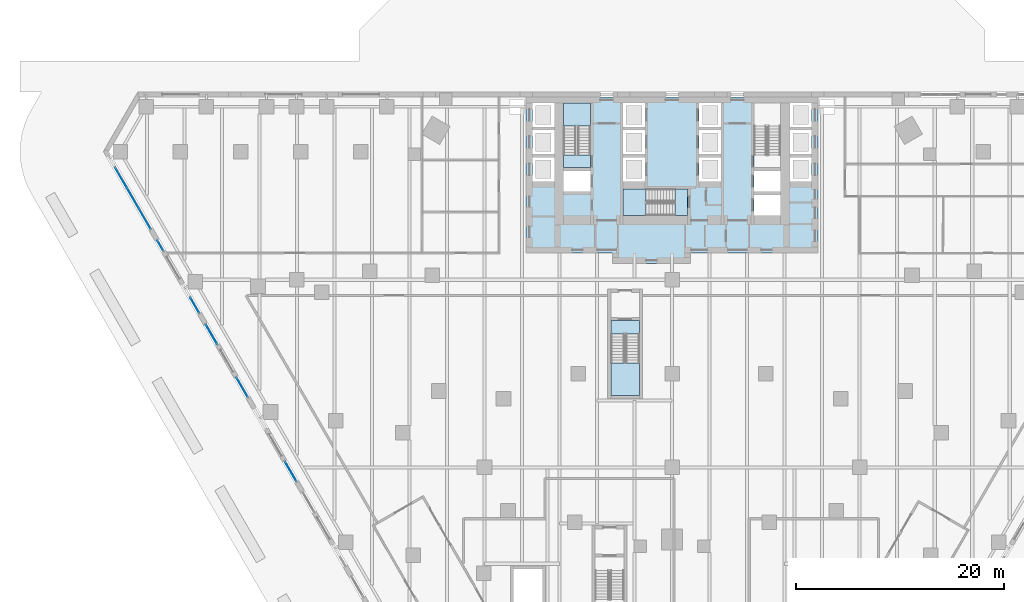
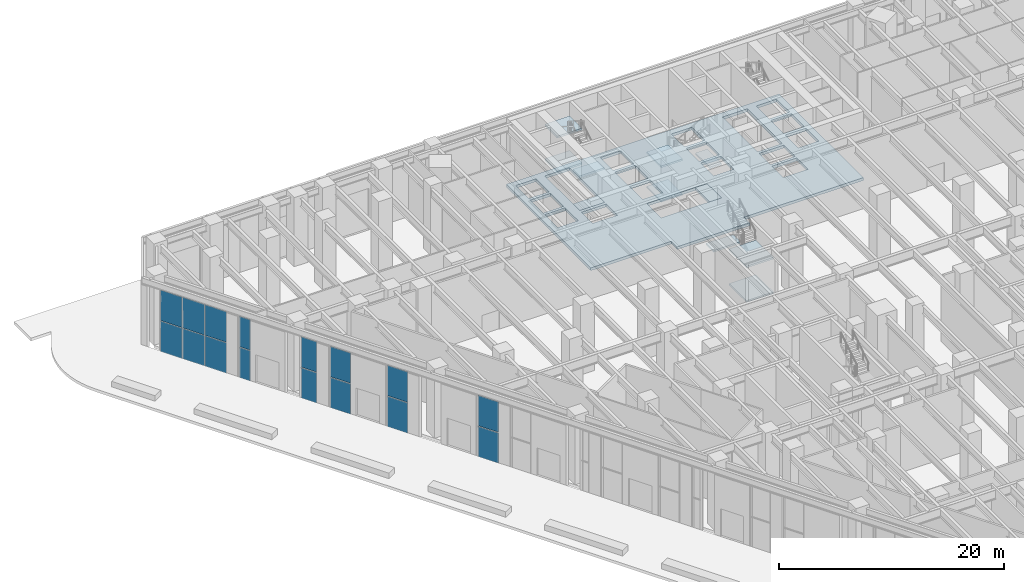
# One storey, part 23 of 37: 16 plates, 12 slabs, 9 elements without a shape of their own.
"""IFC4 building model written with IfcOpenShell, lengths in metres."""

from ifc_helpers import new_model, si_unit, direction, frame, origin, origin_2d, place, context, subcontext, project, spatial, polyline, rectangle, outline, extrude, material, layer, layer_set, type_object, element, aggregate, save


model = new_model("IFC4")

# Units and contexts
model_context = context("Model", 3, precision=1e-05, world=origin(), true_north=direction((0.0, 1.0)))
body_context = subcontext(model_context, "Body", "Model", "MODEL_VIEW")
ifc_project = project(units=[si_unit("LENGTHUNIT", "METRE"), si_unit("AREAUNIT", "SQUARE_METRE"), si_unit("VOLUMEUNIT", "CUBIC_METRE"), si_unit("PLANEANGLEUNIT", "RADIAN"), si_unit("MASSUNIT", "GRAM", prefix="KILO")], contexts=[model_context])

# Site, building, storey
site_placement = place(None, origin())
site = spatial("IfcSite", under=ifc_project, at=site_placement, CompositionType="ELEMENT")
building_placement = place(site_placement, origin())
building = spatial("IfcBuilding", under=site, at=building_placement, Name="Aloe Facet Convention Tower", CompositionType="ELEMENT")
storey_placement = place(building_placement, origin())
storey = spatial("IfcBuildingStorey", under=building, at=storey_placement, Name="L00", CompositionType="ELEMENT", Elevation=0.0)

# Slabs
ifc_material_1 = material(Name="Concrete C80/95", Category="concrete")
ifc_layer_1 = layer(ifc_material_1, 0.300048828125)
ifc_layer_set_1 = layer_set([ifc_layer_1], Name="CR-S-FLOOR300-C8095")
slab_type_1 = type_object("IfcSlabType", Name="CR-S-FLOOR300-C8095", PredefinedType="FLOOR", material=ifc_layer_set_1)
slab_1_placement = place(storey_placement, frame((0.0, 0.0, -0.300048828125)))
element("IfcSlab", 1, at=slab_1_placement, inside=storey, type_object=slab_type_1, Name="Stair landing floor L00", PredefinedType="FLOOR", context=body_context, shape_type="SweptSolid", body=[
    extrude(outline(polyline([(72.14990234375, 127.75), (72.14990234375, 128.951171875), (69.60009765625, 128.951171875), (69.60009765625, 127.75), (72.14990234375, 127.75)])), origin(), (0.0, 0.0, 1.0), 0.300048828125),
])
slab_2_placement = place(storey_placement, frame((0.0, 0.0, -0.300048828125)))
element("IfcSlab", 2, at=slab_2_placement, inside=storey, type_object=slab_type_1, Name="Stair landing floor L00", PredefinedType="FLOOR", context=body_context, shape_type="SweptSolid", body=[
    extrude(outline(polyline([(81.5, 125.699951171875), (80.298828125, 125.699951171875), (80.298828125, 123.14990234375), (81.5, 123.14990234375), (81.5, 125.699951171875)])), origin(), (0.0, 0.0, 1.0), 0.300048828125),
])
slab_3_placement = place(storey_placement, frame((0.0, 0.0, -0.300048828125)))
element("IfcSlab", 3, at=slab_3_placement, inside=storey, type_object=slab_type_1, Name="Core floor L00", PredefinedType="FLOOR", context=body_context, shape_type="SweptSolid", body=[
    extrude(outline(polyline([(69.300048828125, 134.550048828125), (71.85009765625, 134.550048828125), (72.75, 134.550048828125), (74.699951171875, 134.550048828125), (75.60009765625, 134.550048828125), (77.10009765625, 134.550048828125), (78.0, 134.550048828125), (82.0, 134.550048828125), (82.89990234375, 134.550048828125), (84.39990234375, 134.550048828125), (85.300048828125, 134.550048828125), (87.25, 134.550048828125), (88.14990234375, 134.550048828125), (90.699951171875, 134.550048828125), (91.0, 134.550048828125), (94.0, 134.550048828125), (94.0, 131.949951171875), (94.0, 131.050048828125), (94.0, 129.35009765625), (94.0, 128.449951171875), (94.0, 126.449951171875), (94.0, 125.85009765625), (94.0, 124.949951171875), (94.0, 123.89990234375), (94.0, 122.871337890625), (94.0, 121.821533203125), (94.0, 119.550048828125), (91.300048828125, 119.550048828125), (90.699951171875, 119.550048828125), (87.89990234375, 119.550048828125), (86.85009765625, 119.550048828125), (85.699951171875, 119.550048828125), (84.64990234375, 119.550048828125), (83.699951171875, 119.550048828125), (82.64990234375, 119.550048828125), (81.75, 119.550048828125), (81.75, 118.550048828125), (74.300048828125, 118.550048828125), (74.300048828125, 119.550048828125), (73.14990234375, 119.550048828125), (72.10009765625, 119.550048828125), (69.300048828125, 119.550048828125), (68.699951171875, 119.550048828125), (66.0, 119.550048828125), (66.0, 122.523681640625), (66.0, 123.57373046875), (66.0, 125.85009765625), (66.0, 126.449951171875), (66.0, 128.449951171875), (66.0, 129.35009765625), (66.0, 131.050048828125), (66.0, 131.949951171875), (66.0, 134.550048828125), (69.0, 134.550048828125), (69.300048828125, 134.550048828125)]), holes=[polyline([(75.300048828125, 123.14990234375), (80.298828125, 123.14990234375), (81.5, 123.14990234375), (81.5, 125.699951171875), (80.298828125, 125.699951171875), (75.300048828125, 125.699951171875), (75.300048828125, 123.14990234375)]), polyline([(69.60009765625, 125.449951171875), (72.14990234375, 125.449951171875), (72.14990234375, 127.449951171875), (69.60009765625, 127.449951171875), (69.60009765625, 125.449951171875)]), polyline([(66.60009765625, 126.449951171875), (68.699951171875, 126.449951171875), (68.699951171875, 128.75), (66.60009765625, 128.75), (66.60009765625, 126.449951171875)]), polyline([(75.300048828125, 126.449951171875), (77.39990234375, 126.449951171875), (77.39990234375, 128.75), (75.300048828125, 128.75), (75.300048828125, 126.449951171875)]), polyline([(66.60009765625, 129.050048828125), (68.699951171875, 129.050048828125), (68.699951171875, 131.35009765625), (66.60009765625, 131.35009765625), (66.60009765625, 129.050048828125)]), polyline([(75.300048828125, 129.050048828125), (77.39990234375, 129.050048828125), (77.39990234375, 131.35009765625), (75.300048828125, 131.35009765625), (75.300048828125, 129.050048828125)]), polyline([(69.60009765625, 133.949951171875), (69.60009765625, 128.951171875), (69.60009765625, 127.75), (72.14990234375, 127.75), (72.14990234375, 128.951171875), (72.14990234375, 133.949951171875), (69.60009765625, 133.949951171875)]), polyline([(66.60009765625, 133.949951171875), (66.60009765625, 131.64990234375), (68.699951171875, 131.64990234375), (68.699951171875, 133.949951171875), (66.60009765625, 133.949951171875)]), polyline([(75.300048828125, 133.949951171875), (75.300048828125, 131.64990234375), (77.39990234375, 131.64990234375), (77.39990234375, 133.949951171875), (75.300048828125, 133.949951171875)]), polyline([(87.85009765625, 123.14990234375), (90.39990234375, 123.14990234375), (90.39990234375, 125.14990234375), (87.85009765625, 125.14990234375), (87.85009765625, 123.14990234375)]), polyline([(87.85009765625, 125.449951171875), (90.39990234375, 125.449951171875), (90.39990234375, 127.449951171875), (87.85009765625, 127.449951171875), (87.85009765625, 125.449951171875)]), polyline([(82.60009765625, 126.449951171875), (84.699951171875, 126.449951171875), (84.699951171875, 128.75), (82.60009765625, 128.75), (82.60009765625, 126.449951171875)]), polyline([(91.300048828125, 126.449951171875), (93.39990234375, 126.449951171875), (93.39990234375, 128.75), (91.300048828125, 128.75), (91.300048828125, 126.449951171875)]), polyline([(82.60009765625, 129.050048828125), (84.699951171875, 129.050048828125), (84.699951171875, 131.35009765625), (82.60009765625, 131.35009765625), (82.60009765625, 129.050048828125)]), polyline([(91.300048828125, 129.050048828125), (93.39990234375, 129.050048828125), (93.39990234375, 131.35009765625), (91.300048828125, 131.35009765625), (91.300048828125, 129.050048828125)]), polyline([(87.85009765625, 133.949951171875), (87.85009765625, 128.951171875), (87.85009765625, 127.75), (90.39990234375, 127.75), (90.39990234375, 128.951171875), (90.39990234375, 133.949951171875), (87.85009765625, 133.949951171875)]), polyline([(82.60009765625, 133.949951171875), (82.60009765625, 131.64990234375), (84.699951171875, 131.64990234375), (84.699951171875, 133.949951171875), (82.60009765625, 133.949951171875)]), polyline([(91.300048828125, 133.949951171875), (91.300048828125, 131.64990234375), (93.39990234375, 131.64990234375), (93.39990234375, 133.949951171875), (91.300048828125, 133.949951171875)])]), origin(), (0.0, 0.0, 1.0), 0.300048828125),
])

# Stair, slabs
ifc_material_2 = material(Name="Concrete C50/60", Category="concrete")
stair_type_1 = type_object("IfcStairType", Name="CR-ST-44R", PredefinedType="HALF_TURN_STAIR", material=ifc_material_2)
stair_1_placement = place(storey_placement, origin())
stair_1 = element("IfcStair", 4, at=stair_1_placement, inside=storey, type_object=stair_type_1, Name="L00 Protected exit stair ST1", PredefinedType="HALF_TURN_STAIR")
ifc_material_3 = material(Name="Concrete C50/60", Category="concrete")
ifc_layer_2 = layer(ifc_material_3, 0.199951171875)
ifc_layer_set_2 = layer_set([ifc_layer_2], Name="CR-SL-LANDING")
slab_type_2 = type_object("IfcSlabType", Name="CR-SL-LANDING", PredefinedType="LANDING", material=ifc_layer_set_2)
slab_4_placement = place(storey_placement, frame((0.0, 0.0, 1.675048828125)))
slab_4 = element("IfcSlab", 5, at=slab_4_placement, type_object=slab_type_2, Name="ST1 landing 1", PredefinedType="LANDING", context=body_context, shape_type="SweptSolid", body=[
    extrude(outline(polyline([(72.14990234375, 131.75), (72.14990234375, 133.949951171875), (69.60009765625, 133.949951171875), (69.60009765625, 131.75), (72.14990234375, 131.75)])), origin(), (0.0, 0.0, 1.0), 0.199951171875),
])
slab_5_placement = place(storey_placement, frame((0.0, 0.0, 3.550048828125)))
slab_5 = element("IfcSlab", 6, at=slab_5_placement, type_object=slab_type_2, Name="ST1 landing 2", PredefinedType="LANDING", context=body_context, shape_type="SweptSolid", body=[
    extrude(outline(polyline([(72.14990234375, 127.75), (72.14990234375, 128.949951171875), (69.60009765625, 128.949951171875), (69.60009765625, 127.75), (72.14990234375, 127.75)])), origin(), (0.0, 0.0, 1.0), 0.199951171875),
])
slab_6_placement = place(storey_placement, frame((0.0, 0.0, 5.425048828125)))
slab_6 = element("IfcSlab", 7, at=slab_6_placement, type_object=slab_type_2, Name="ST1 landing 3", PredefinedType="LANDING", context=body_context, shape_type="SweptSolid", body=[
    extrude(outline(polyline([(72.14990234375, 131.75), (72.14990234375, 133.949951171875), (69.60009765625, 133.949951171875), (69.60009765625, 131.75), (72.14990234375, 131.75)])), origin(), (0.0, 0.0, 1.0), 0.199951171875),
])
aggregate(stair_1, [slab_4, slab_5, slab_6])

stair_2_placement = place(storey_placement, origin())
stair_2 = element("IfcStair", 8, at=stair_2_placement, inside=storey, type_object=stair_type_1, Name="L00 Protected exit stair ST3", PredefinedType="HALF_TURN_STAIR")
slab_7_placement = place(storey_placement, frame((0.0, 0.0, 1.675048828125)))
slab_7 = element("IfcSlab", 9, at=slab_7_placement, type_object=slab_type_2, Name="ST3 landing 1", PredefinedType="LANDING", context=body_context, shape_type="SweptSolid", body=[
    extrude(outline(polyline([(77.5, 125.699951171875), (75.300048828125, 125.699951171875), (75.300048828125, 123.14990234375), (77.5, 123.14990234375), (77.5, 125.699951171875)])), origin(), (0.0, 0.0, 1.0), 0.199951171875),
])
slab_8_placement = place(storey_placement, frame((0.0, 0.0, 3.550048828125)))
slab_8 = element("IfcSlab", 10, at=slab_8_placement, type_object=slab_type_2, Name="ST3 landing 2", PredefinedType="LANDING", context=body_context, shape_type="SweptSolid", body=[
    extrude(outline(polyline([(81.5, 125.699951171875), (80.300048828125, 125.699951171875), (80.300048828125, 123.14990234375), (81.5, 123.14990234375), (81.5, 125.699951171875)])), origin(), (0.0, 0.0, 1.0), 0.199951171875),
])
slab_9_placement = place(storey_placement, frame((0.0, 0.0, 5.425048828125)))
slab_9 = element("IfcSlab", 11, at=slab_9_placement, type_object=slab_type_2, Name="ST3 landing 3", PredefinedType="LANDING", context=body_context, shape_type="SweptSolid", body=[
    extrude(outline(polyline([(77.5, 125.699951171875), (75.300048828125, 125.699951171875), (75.300048828125, 123.14990234375), (77.5, 123.14990234375), (77.5, 125.699951171875)])), origin(), (0.0, 0.0, 1.0), 0.199951171875),
])
aggregate(stair_2, [slab_7, slab_8, slab_9])

ifc_material_4 = material(Name="Concrete C50/60", Category="concrete")
stair_type_2 = type_object("IfcStairType", Name="CR-ST-44R-W1300", PredefinedType="HALF_TURN_STAIR", material=ifc_material_4)
stair_3_placement = place(storey_placement, origin())
stair_3 = element("IfcStair", 12, at=stair_3_placement, inside=storey, type_object=stair_type_2, Name="L00 Protected exit stair ST5", PredefinedType="HALF_TURN_STAIR")
slab_10_placement = place(storey_placement, frame((0.0, 0.0, 1.675048828125)))
slab_10 = element("IfcSlab", 13, at=slab_10_placement, type_object=slab_type_2, Name="ST5 landing 1", PredefinedType="LANDING", context=body_context, shape_type="SweptSolid", body=[
    extrude(outline(polyline([(74.125, 109.0), (74.125, 105.89990234375), (76.875, 105.89990234375), (76.875, 109.0), (74.125, 109.0)])), origin(), (0.0, 0.0, 1.0), 0.199951171875),
])
slab_11_placement = place(storey_placement, frame((0.0, 0.0, 3.550048828125)))
slab_11 = element("IfcSlab", 14, at=slab_11_placement, type_object=slab_type_2, Name="ST5 landing 2", PredefinedType="LANDING", context=body_context, shape_type="SweptSolid", body=[
    extrude(outline(polyline([(74.125, 113.10009765625), (74.125, 111.800048828125), (76.875, 111.800048828125), (76.875, 113.10009765625), (74.125, 113.10009765625)])), origin(), (0.0, 0.0, 1.0), 0.199951171875),
])
slab_12_placement = place(storey_placement, frame((0.0, 0.0, 5.425048828125)))
slab_12 = element("IfcSlab", 15, at=slab_12_placement, type_object=slab_type_2, Name="ST5 landing 3", PredefinedType="LANDING", context=body_context, shape_type="SweptSolid", body=[
    extrude(outline(polyline([(74.125, 109.0), (74.125, 105.89990234375), (76.875, 105.89990234375), (76.875, 109.0), (74.125, 109.0)])), origin(), (0.0, 0.0, 1.0), 0.199951171875),
])
aggregate(stair_3, [slab_10, slab_11, slab_12])

# Curtain wall, plates
ifc_material_5 = material(Name="Aluminium, anodised", Category="aluminium")
curtain_wall_type_1 = type_object("IfcCurtainWallType", Name="EV-CW-PORTAL", PredefinedType="USERDEFINED", material=ifc_material_5)
curtain_wall_1_placement = place(storey_placement, origin())
curtain_wall_1 = element("IfcCurtainWall", 16, at=curtain_wall_1_placement, inside=storey, type_object=curtain_wall_type_1, Name="CW-L00-W04A", ObjectType="ENTRANCE PORTAL GLAZING", PredefinedType="USERDEFINED")
ifc_material_6 = material(Name="Clear double glazing", Category="glass")
ifc_layer_3 = layer(ifc_material_6, 0.035888671875)
ifc_layer_set_3 = layer_set([ifc_layer_3], Name="EV-PANEL-PORTAL")
plate_type_1 = type_object("IfcPlateType", Name="EV-PANEL-PORTAL", PredefinedType="CURTAIN_PANEL", material=ifc_layer_set_3)
plate_1_placement = place(storey_placement, frame((30.903076171875, 120.2587890625, -0.219970703125), z_axis=(0.0, 0.0, 1.0), x_axis=(0.500000000166, -0.866025403688, 0.0)))
plate_1 = element("IfcPlate", 17, at=plate_1_placement, type_object=plate_type_1, Name="CW-L00-W04A panel 1.1", PredefinedType="CURTAIN_PANEL", context=body_context, shape_type="SweptSolid", body=[
    extrude(rectangle(XDim=1.1005859375, YDim=0.035888671875, at=origin_2d()), origin(), (0.0, 0.0, 1.0), 3.2861328125),
])
plate_2_placement = place(storey_placement, frame((30.903076171875, 120.2587890625, 3.146240234375), z_axis=(0.0, 0.0, 1.0), x_axis=(0.500000000166, -0.866025403688, 0.0)))
plate_2 = element("IfcPlate", 18, at=plate_2_placement, type_object=plate_type_1, Name="CW-L00-W04A panel 1.2", PredefinedType="CURTAIN_PANEL", context=body_context, shape_type="SweptSolid", body=[
    extrude(rectangle(XDim=1.1005859375, YDim=0.035888671875, at=origin_2d()), origin(), (0.0, 0.0, 1.0), 3.2861328125),
])
aggregate(curtain_wall_1, [plate_1, plate_2])

curtain_wall_2_placement = place(storey_placement, origin())
curtain_wall_2 = element("IfcCurtainWall", 19, at=curtain_wall_2_placement, inside=storey, type_object=curtain_wall_type_1, Name="CW-L00-W04B", ObjectType="ENTRANCE PORTAL GLAZING", PredefinedType="USERDEFINED")
plate_3_placement = place(storey_placement, frame((34.200439453125, 114.547607421875, -0.219970703125), z_axis=(0.0, 0.0, 1.0), x_axis=(0.499999999955, -0.866025403811, 0.0)))
plate_3 = element("IfcPlate", 20, at=plate_3_placement, type_object=plate_type_1, Name="CW-L00-W04B panel 1.1", PredefinedType="CURTAIN_PANEL", context=body_context, shape_type="SweptSolid", body=[
    extrude(rectangle(XDim=1.6328125, YDim=0.035888671875, at=origin_2d()), origin(), (0.0, 0.0, 1.0), 3.2861328125),
])
plate_4_placement = place(storey_placement, frame((34.200439453125, 114.547607421875, 3.146240234375), z_axis=(0.0, 0.0, 1.0), x_axis=(0.499999999955, -0.866025403811, 0.0)))
plate_4 = element("IfcPlate", 21, at=plate_4_placement, type_object=plate_type_1, Name="CW-L00-W04B panel 1.2", PredefinedType="CURTAIN_PANEL", context=body_context, shape_type="SweptSolid", body=[
    extrude(rectangle(XDim=1.6328125, YDim=0.035888671875, at=origin_2d()), origin(), (0.0, 0.0, 1.0), 3.2861328125),
])
aggregate(curtain_wall_2, [plate_3, plate_4])

curtain_wall_3_placement = place(storey_placement, origin())
curtain_wall_3 = element("IfcCurtainWall", 22, at=curtain_wall_3_placement, inside=storey, type_object=curtain_wall_type_1, Name="CW-L00-W06A", ObjectType="ENTRANCE PORTAL GLAZING", PredefinedType="USERDEFINED")
plate_5_placement = place(storey_placement, frame((35.81396484375, 111.753173828125, -0.219970703125), z_axis=(0.0, 0.0, 1.0), x_axis=(0.50000000006, -0.86602540375, 0.0)))
plate_5 = element("IfcPlate", 23, at=plate_5_placement, type_object=plate_type_1, Name="CW-L00-W06A panel 1.1", PredefinedType="CURTAIN_PANEL", context=body_context, shape_type="SweptSolid", body=[
    extrude(rectangle(XDim=2.1005859375, YDim=0.035888671875, at=origin_2d()), origin(), (0.0, 0.0, 1.0), 3.2861328125),
])
plate_6_placement = place(storey_placement, frame((35.81396484375, 111.753173828125, 3.146240234375), z_axis=(0.0, 0.0, 1.0), x_axis=(0.50000000006, -0.86602540375, 0.0)))
plate_6 = element("IfcPlate", 24, at=plate_6_placement, type_object=plate_type_1, Name="CW-L00-W06A panel 1.2", PredefinedType="CURTAIN_PANEL", context=body_context, shape_type="SweptSolid", body=[
    extrude(rectangle(XDim=2.1005859375, YDim=0.035888671875, at=origin_2d()), origin(), (0.0, 0.0, 1.0), 3.2861328125),
])
aggregate(curtain_wall_3, [plate_5, plate_6])

curtain_wall_4_placement = place(storey_placement, origin())
curtain_wall_4 = element("IfcCurtainWall", 25, at=curtain_wall_4_placement, inside=storey, type_object=curtain_wall_type_1, Name="CW-L00-W06B", ObjectType="ENTRANCE PORTAL GLAZING", PredefinedType="USERDEFINED")
plate_7_placement = place(storey_placement, frame((38.744140625, 106.677734375, -0.219970703125), z_axis=(0.0, 0.0, 1.0), x_axis=(0.50000000006, -0.86602540375, 0.0)))
plate_7 = element("IfcPlate", 26, at=plate_7_placement, type_object=plate_type_1, Name="CW-L00-W06B panel 1.1", PredefinedType="CURTAIN_PANEL", context=body_context, shape_type="SweptSolid", body=[
    extrude(rectangle(XDim=2.1005859375, YDim=0.035888671875, at=origin_2d()), origin(), (0.0, 0.0, 1.0), 3.2861328125),
])
plate_8_placement = place(storey_placement, frame((38.744140625, 106.677734375, 3.146240234375), z_axis=(0.0, 0.0, 1.0), x_axis=(0.50000000006, -0.86602540375, 0.0)))
plate_8 = element("IfcPlate", 27, at=plate_8_placement, type_object=plate_type_1, Name="CW-L00-W06B panel 1.2", PredefinedType="CURTAIN_PANEL", context=body_context, shape_type="SweptSolid", body=[
    extrude(rectangle(XDim=2.1005859375, YDim=0.035888671875, at=origin_2d()), origin(), (0.0, 0.0, 1.0), 3.2861328125),
])
aggregate(curtain_wall_4, [plate_7, plate_8])

curtain_wall_5_placement = place(storey_placement, origin())
curtain_wall_5 = element("IfcCurtainWall", 28, at=curtain_wall_5_placement, inside=storey, type_object=curtain_wall_type_1, Name="CW-L00-W08B", ObjectType="ENTRANCE PORTAL GLAZING", PredefinedType="USERDEFINED")
plate_9_placement = place(storey_placement, frame((43.40478515625, 98.60498046875, -0.219970703125), z_axis=(0.0, 0.0, 1.0), x_axis=(0.499999999728, -0.866025403942, 0.0)))
plate_9 = element("IfcPlate", 29, at=plate_9_placement, type_object=plate_type_1, Name="CW-L00-W08B panel 1.1", PredefinedType="CURTAIN_PANEL", context=body_context, shape_type="SweptSolid", body=[
    extrude(rectangle(XDim=2.1005859375, YDim=0.035888671875, at=origin_2d()), origin(), (0.0, 0.0, 1.0), 3.2861328125),
])
plate_10_placement = place(storey_placement, frame((43.40478515625, 98.60498046875, 3.146240234375), z_axis=(0.0, 0.0, 1.0), x_axis=(0.499999999728, -0.866025403942, 0.0)))
plate_10 = element("IfcPlate", 30, at=plate_10_placement, type_object=plate_type_1, Name="CW-L00-W08B panel 1.2", PredefinedType="CURTAIN_PANEL", context=body_context, shape_type="SweptSolid", body=[
    extrude(rectangle(XDim=2.1005859375, YDim=0.035888671875, at=origin_2d()), origin(), (0.0, 0.0, 1.0), 3.2861328125),
])
aggregate(curtain_wall_5, [plate_9, plate_10])

ifc_material_7 = material(Name="Aluminium, anodised", Category="aluminium")
curtain_wall_type_2 = type_object("IfcCurtainWallType", Name="EV-CW-SHOP", PredefinedType="USERDEFINED", material=ifc_material_7)
curtain_wall_6_placement = place(storey_placement, origin())
curtain_wall_6 = element("IfcCurtainWall", 31, at=curtain_wall_6_placement, inside=storey, type_object=curtain_wall_type_2, Name="CW-L00-W02", ObjectType="STICK SHOPFRONT GLAZING", PredefinedType="USERDEFINED")
ifc_material_8 = material(Name="Clear double glazing", Category="glass")
ifc_layer_4 = layer(ifc_material_8, 0.028076171875)
ifc_layer_set_4 = layer_set([ifc_layer_4], Name="EV-PANEL-SHOP")
plate_type_2 = type_object("IfcPlateType", Name="EV-PANEL-SHOP", PredefinedType="CURTAIN_PANEL", material=ifc_layer_set_4)
plate_11_placement = place(storey_placement, frame((27.125244140625, 126.802001953125, -0.23974609375), z_axis=(0.0, 0.0, 1.0), x_axis=(0.499999999924, -0.866025403828, 0.0)))
plate_11 = element("IfcPlate", 32, at=plate_11_placement, type_object=plate_type_2, Name="CW-L00-W02 panel 1.1", PredefinedType="CURTAIN_PANEL", context=body_context, shape_type="SweptSolid", body=[
    extrude(rectangle(XDim=2.2060546875, YDim=0.028076171875, at=origin_2d()), origin(), (0.0, 0.0, 1.0), 3.316162109375),
])
plate_12_placement = place(storey_placement, frame((27.125244140625, 126.802001953125, 3.13623046875), z_axis=(0.0, 0.0, 1.0), x_axis=(0.499999999924, -0.866025403828, 0.0)))
plate_12 = element("IfcPlate", 33, at=plate_12_placement, type_object=plate_type_2, Name="CW-L00-W02 panel 1.2", PredefinedType="CURTAIN_PANEL", context=body_context, shape_type="SweptSolid", body=[
    extrude(rectangle(XDim=2.2060546875, YDim=0.028076171875, at=origin_2d()), origin(), (0.0, 0.0, 1.0), 3.316162109375),
])
plate_13_placement = place(storey_placement, frame((28.265869140625, 124.82666015625, -0.23974609375), z_axis=(0.0, 0.0, 1.0), x_axis=(0.499999999924, -0.866025403828, 0.0)))
plate_13 = element("IfcPlate", 34, at=plate_13_placement, type_object=plate_type_2, Name="CW-L00-W02 panel 2.1", PredefinedType="CURTAIN_PANEL", context=body_context, shape_type="SweptSolid", body=[
    extrude(rectangle(XDim=2.236083984375, YDim=0.028076171875, at=origin_2d()), origin(), (0.0, 0.0, 1.0), 3.316162109375),
])
plate_14_placement = place(storey_placement, frame((28.265869140625, 124.82666015625, 3.13623046875), z_axis=(0.0, 0.0, 1.0), x_axis=(0.499999999924, -0.866025403828, 0.0)))
plate_14 = element("IfcPlate", 35, at=plate_14_placement, type_object=plate_type_2, Name="CW-L00-W02 panel 2.2", PredefinedType="CURTAIN_PANEL", context=body_context, shape_type="SweptSolid", body=[
    extrude(rectangle(XDim=2.236083984375, YDim=0.028076171875, at=origin_2d()), origin(), (0.0, 0.0, 1.0), 3.316162109375),
])
plate_15_placement = place(storey_placement, frame((29.406494140625, 122.85107421875, -0.23974609375), z_axis=(0.0, 0.0, 1.0), x_axis=(0.499999999924, -0.866025403828, 0.0)))
plate_15 = element("IfcPlate", 36, at=plate_15_placement, type_object=plate_type_2, Name="CW-L00-W02 panel 3.1", PredefinedType="CURTAIN_PANEL", context=body_context, shape_type="SweptSolid", body=[
    extrude(rectangle(XDim=2.2060546875, YDim=0.028076171875, at=origin_2d()), origin(), (0.0, 0.0, 1.0), 3.316162109375),
])
plate_16_placement = place(storey_placement, frame((29.406494140625, 122.85107421875, 3.13623046875), z_axis=(0.0, 0.0, 1.0), x_axis=(0.499999999924, -0.866025403828, 0.0)))
plate_16 = element("IfcPlate", 37, at=plate_16_placement, type_object=plate_type_2, Name="CW-L00-W02 panel 3.2", PredefinedType="CURTAIN_PANEL", context=body_context, shape_type="SweptSolid", body=[
    extrude(rectangle(XDim=2.2060546875, YDim=0.028076171875, at=origin_2d()), origin(), (0.0, 0.0, 1.0), 3.316162109375),
])
aggregate(curtain_wall_6, [plate_11, plate_12, plate_13, plate_14, plate_15, plate_16])

save(model, "model.ifc")
